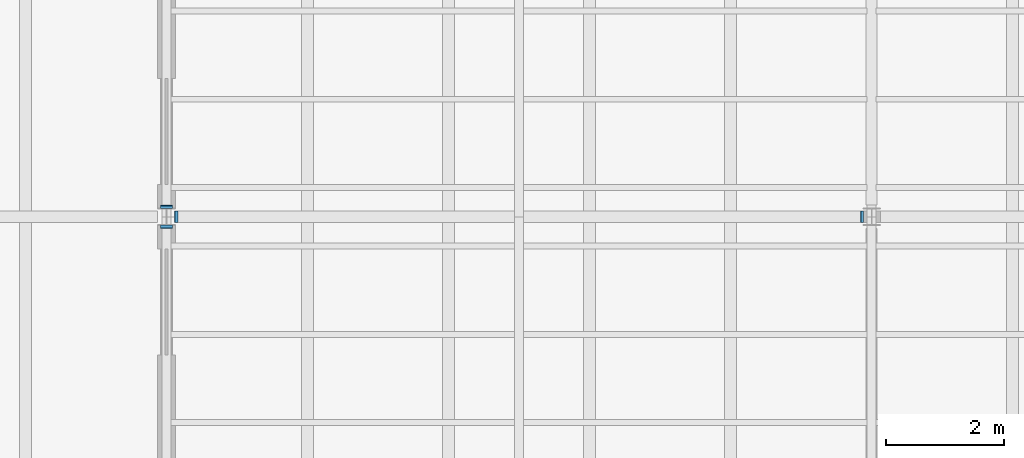
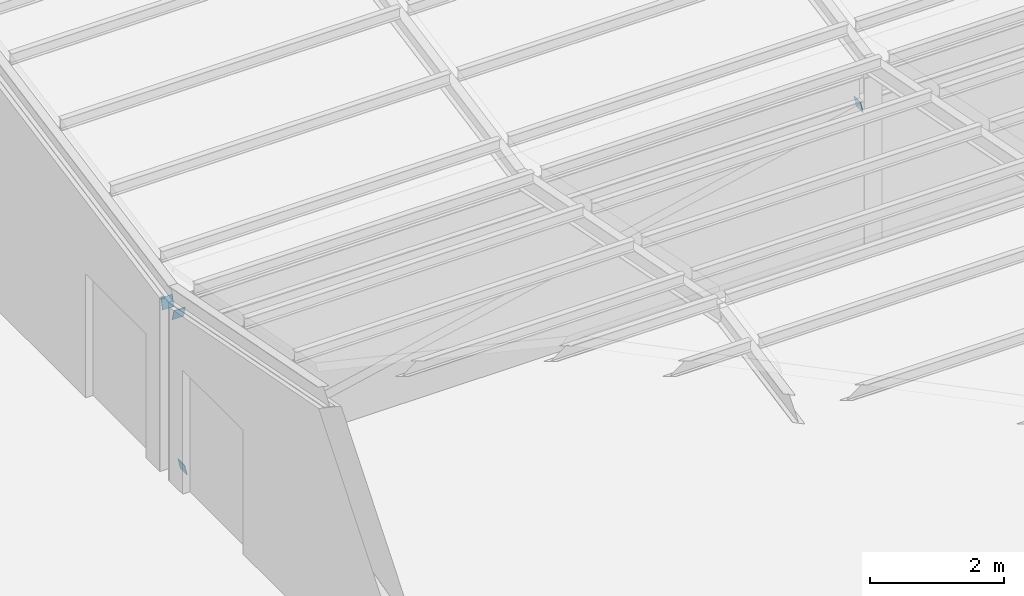
# One storey, part 75 of 91: 4 discrete accessories.
"""IFC4 building model written with IfcOpenShell, lengths in metres."""

from ifc_helpers import new_model, si_unit, direction, frame, origin, origin_2d, place, context, subcontext, project, spatial, rectangle, extrude, material, material_profile, profile_set, type_object, element, save


model = new_model("IFC4")

# Units and contexts
model_context = context("Model", 3, precision=1e-05, world=origin(), true_north=direction((0.0, 1.0)))
body_context = subcontext(model_context, "Body", "Model", "MODEL_VIEW")
ifc_project = project(units=[si_unit("LENGTHUNIT", "METRE"), si_unit("AREAUNIT", "SQUARE_METRE"), si_unit("VOLUMEUNIT", "CUBIC_METRE"), si_unit("PLANEANGLEUNIT", "RADIAN"), si_unit("MASSUNIT", "GRAM", prefix="KILO")], contexts=[model_context])

# Site, building, storey
site_placement = place(None, origin())
site = spatial("IfcSite", under=ifc_project, at=site_placement, CompositionType="ELEMENT")
building_placement = place(site_placement, origin())
building = spatial("IfcBuilding", under=site, at=building_placement, Name="Ravi Spectrum Wholesale Market", CompositionType="ELEMENT")
storey_placement = place(building_placement, frame((0.0, 0.0, 16.199951171875)))
storey = spatial("IfcBuildingStorey", under=building, at=storey_placement, Name="ROOF PLANT LEVEL", CompositionType="ELEMENT", Elevation=16.199951171875)

# Discrete accessories
ifc_material = material(Name="Steel S355", Category="steel")
ifc_material_profile = material_profile(ifc_material, rectangle(XDim=0.199951171875, YDim=0.199951171875, at=origin_2d()))
ifc_profile_set = profile_set([ifc_material_profile], Name="Steel S355")
discrete_accessory_type = type_object("IfcDiscreteAccessoryType", Name="End plate SHS 200x200x8", PredefinedType="BRACKET", material=ifc_profile_set)
for number, where, z_axis, x_axis, name in (
    (1, (210.171142578125, 42.0, 0.097900390625), (-0.974732318528, 0.0, -0.223376156329), (0.0, -1.0, 0.0), "End plate"),
    (2, (221.828857421875, 42.0, 2.62451171875), (0.978980419738, 0.0, 0.203954254112), (0.0, 1.0, 0.0), "End plate"),
    (3, (210.0, 41.825439453125, 3.05517578125), (0.0, 0.970142500145, 0.242535625036), (-1.0, 0.0, 0.0), "End plate"),
    (4, (210.0, 42.174560546875, 3.05517578125), (0.0, -0.970142500145, 0.242535625036), (1.0, 0.0, 0.0), "End plate"),
):
    element("IfcDiscreteAccessory", number, at=place(storey_placement, frame(where, z_axis=z_axis, x_axis=x_axis)), inside=storey, type_object=discrete_accessory_type, Name=name, PredefinedType="BRACKET", context=body_context, shape_type="SweptSolid", body=[
        extrude(rectangle(XDim=0.199951171875, YDim=0.199951171875, at=origin_2d()), origin(), (0.0, 0.0, 1.0), 0.011962890625),
    ])

save(model, "model.ifc")
